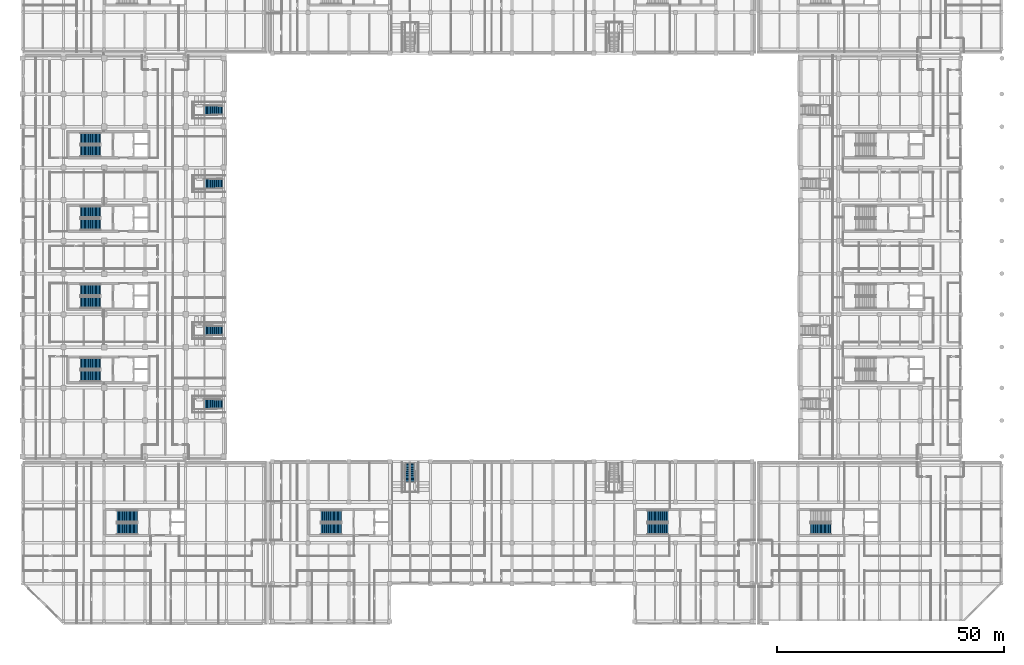
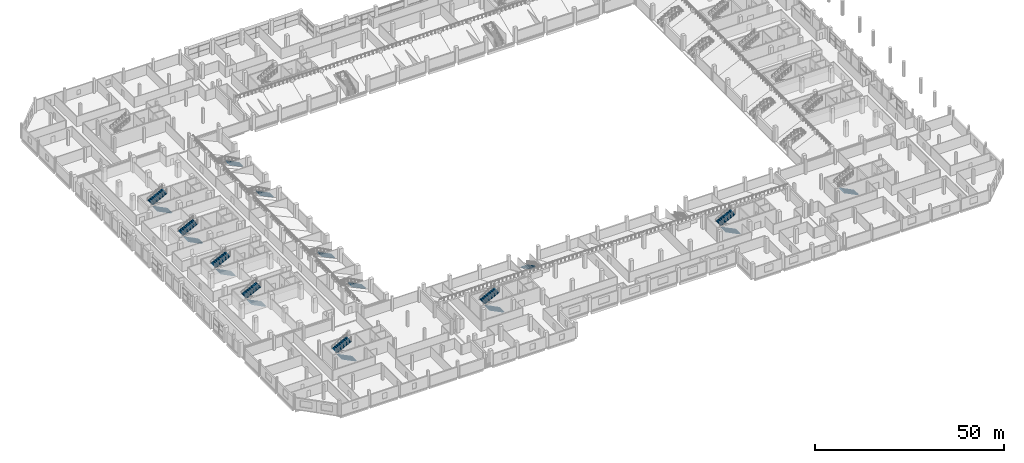
# One storey, part 72 of 100: 20 stair flights, 13 elements without a shape of their own.
"""IFC4 building model written with IfcOpenShell, lengths in metres."""

from ifc_helpers import new_model, si_unit, direction, frame, origin, place, context, subcontext, project, spatial, polyline, outline, extrude, material, type_object, element, aggregate, save


model = new_model("IFC4")

# Units and contexts
model_context = context("Model", 3, precision=1e-05, world=origin(), true_north=direction((0.0, 1.0)))
body_context = subcontext(model_context, "Body", "Model", "MODEL_VIEW")
ifc_project = project(units=[si_unit("LENGTHUNIT", "METRE"), si_unit("AREAUNIT", "SQUARE_METRE"), si_unit("VOLUMEUNIT", "CUBIC_METRE"), si_unit("PLANEANGLEUNIT", "RADIAN"), si_unit("MASSUNIT", "GRAM", prefix="KILO"), si_unit("THERMODYNAMICTEMPERATUREUNIT", "KELVIN"), si_unit("POWERUNIT", "WATT")], contexts=[model_context])

# Site, building, storey
site_placement = place(None, origin())
site = spatial("IfcSite", under=ifc_project, at=site_placement, CompositionType="ELEMENT")
building_placement = place(site_placement, origin())
building = spatial("IfcBuilding", under=site, at=building_placement, Name="Sindhuravela Promenade Stadium", CompositionType="ELEMENT")
storey_placement = place(building_placement, frame((0.0, 0.0, 4.800048828125)))
storey = spatial("IfcBuildingStorey", under=building, at=storey_placement, Name="L01", CompositionType="ELEMENT", Elevation=4.800048828125)

# Stair, stair flights
ifc_material = material(Name="Concrete M40", Category="concrete")
stair_type_1 = type_object("IfcStairType", Name="ST-CORE-DOGLEG", PredefinedType="HALF_TURN_STAIR", material=ifc_material)
stair_1_placement = place(storey_placement, origin())
stair_1 = element("IfcStair", 1, at=stair_1_placement, inside=storey, type_object=stair_type_1, Name="Protected escape stair ST01 (L01)", PredefinedType="HALF_TURN_STAIR")
stair_flight_type_1 = type_object("IfcStairFlightType", Name="SF-CORE-2400", PredefinedType="STRAIGHT", material=ifc_material)
stair_flight_1_placement = place(storey_placement, frame((17.25, 54.7900390625, 0.0), z_axis=(0.0, 0.0, 1.0), x_axis=(-1.0, 0.0, 0.0)))
stair_flight_1 = element("IfcStairFlight", 2, at=stair_flight_1_placement, type_object=stair_flight_type_1, Name="Stair ST01 lower flight (L01)", NumberOfRisers=16, NumberOfTreads=15, PredefinedType="STRAIGHT", RiserHeight=0.15, TreadLength=0.3, context=body_context, shape_type="SweptSolid", body=[
    extrude(outline(polyline([(0.0, 0.0), (0.0, 0.14990234375), (0.300048828125, 0.14990234375), (0.300048828125, 0.300048828125), (0.60009765625, 0.300048828125), (0.60009765625, 0.449951171875), (0.89990234375, 0.449951171875), (0.89990234375, 0.60009765625), (1.199951171875, 0.60009765625), (1.199951171875, 0.75), (1.5, 0.75), (1.5, 0.89990234375), (1.800048828125, 0.89990234375), (1.800048828125, 1.050048828125), (2.10009765625, 1.050048828125), (2.10009765625, 1.199951171875), (2.39990234375, 1.199951171875), (2.39990234375, 1.35009765625), (2.699951171875, 1.35009765625), (2.699951171875, 1.5), (3.0, 1.5), (3.0, 1.64990234375), (3.300048828125, 1.64990234375), (3.300048828125, 1.800048828125), (3.60009765625, 1.800048828125), (3.60009765625, 1.949951171875), (3.89990234375, 1.949951171875), (3.89990234375, 2.10009765625), (4.199951171875, 2.10009765625), (4.199951171875, 2.25), (4.5, 2.25), (4.5, 2.39990234375), (4.5, 2.0263671875), (0.447021484375, 0.0), (0.0, 0.0)])), frame((0.0, 1.25, 0.0), z_axis=(0.0, -1.0, 0.0), x_axis=(1.0, 0.0, 0.0)), (0.0, 0.0, 1.0), 2.5),
])
stair_flight_2_placement = place(storey_placement, frame((12.75, 57.610107421875, 2.39990234375), z_axis=(0.0, 0.0, 1.0), x_axis=(1.0, 0.0, 0.0)))
stair_flight_2 = element("IfcStairFlight", 3, at=stair_flight_2_placement, type_object=stair_flight_type_1, Name="Stair ST01 upper flight (L01)", NumberOfRisers=16, NumberOfTreads=15, PredefinedType="STRAIGHT", RiserHeight=0.15, TreadLength=0.3, context=body_context, shape_type="SweptSolid", body=[
    extrude(outline(polyline([(0.0, 0.0), (0.0, 0.14990234375), (0.300048828125, 0.14990234375), (0.300048828125, 0.300048828125), (0.60009765625, 0.300048828125), (0.60009765625, 0.449951171875), (0.89990234375, 0.449951171875), (0.89990234375, 0.60009765625), (1.199951171875, 0.60009765625), (1.199951171875, 0.75), (1.5, 0.75), (1.5, 0.89990234375), (1.800048828125, 0.89990234375), (1.800048828125, 1.050048828125), (2.10009765625, 1.050048828125), (2.10009765625, 1.199951171875), (2.39990234375, 1.199951171875), (2.39990234375, 1.35009765625), (2.699951171875, 1.35009765625), (2.699951171875, 1.5), (3.0, 1.5), (3.0, 1.64990234375), (3.300048828125, 1.64990234375), (3.300048828125, 1.800048828125), (3.60009765625, 1.800048828125), (3.60009765625, 1.949951171875), (3.89990234375, 1.949951171875), (3.89990234375, 2.10009765625), (4.199951171875, 2.10009765625), (4.199951171875, 2.25), (4.5, 2.25), (4.5, 2.39990234375), (4.5, 2.0263671875), (0.447021484375, 0.0), (0.0, 0.0)])), frame((0.0, 1.25, 0.0), z_axis=(0.0, -1.0, 0.0), x_axis=(1.0, 0.0, 0.0)), (0.0, 0.0, 1.0), 2.5),
])
aggregate(stair_1, [stair_flight_1, stair_flight_2])

stair_2_placement = place(storey_placement, origin())
stair_2 = element("IfcStair", 4, at=stair_2_placement, inside=storey, type_object=stair_type_1, Name="Protected escape stair ST02 (L01)", PredefinedType="HALF_TURN_STAIR")
stair_flight_3_placement = place(storey_placement, frame((17.25, 70.989990234375, 0.0), z_axis=(0.0, 0.0, 1.0), x_axis=(-1.0, 0.0, 0.0)))
stair_flight_3 = element("IfcStairFlight", 5, at=stair_flight_3_placement, type_object=stair_flight_type_1, Name="Stair ST02 lower flight (L01)", NumberOfRisers=16, NumberOfTreads=15, PredefinedType="STRAIGHT", RiserHeight=0.15, TreadLength=0.3, context=body_context, shape_type="SweptSolid", body=[
    extrude(outline(polyline([(0.0, 0.0), (0.0, 0.14990234375), (0.300048828125, 0.14990234375), (0.300048828125, 0.300048828125), (0.60009765625, 0.300048828125), (0.60009765625, 0.449951171875), (0.89990234375, 0.449951171875), (0.89990234375, 0.60009765625), (1.199951171875, 0.60009765625), (1.199951171875, 0.75), (1.5, 0.75), (1.5, 0.89990234375), (1.800048828125, 0.89990234375), (1.800048828125, 1.050048828125), (2.10009765625, 1.050048828125), (2.10009765625, 1.199951171875), (2.39990234375, 1.199951171875), (2.39990234375, 1.35009765625), (2.699951171875, 1.35009765625), (2.699951171875, 1.5), (3.0, 1.5), (3.0, 1.64990234375), (3.300048828125, 1.64990234375), (3.300048828125, 1.800048828125), (3.60009765625, 1.800048828125), (3.60009765625, 1.949951171875), (3.89990234375, 1.949951171875), (3.89990234375, 2.10009765625), (4.199951171875, 2.10009765625), (4.199951171875, 2.25), (4.5, 2.25), (4.5, 2.39990234375), (4.5, 2.0263671875), (0.447021484375, 0.0), (0.0, 0.0)])), frame((0.0, 1.25, 0.0), z_axis=(0.0, -1.0, 0.0), x_axis=(1.0, 0.0, 0.0)), (0.0, 0.0, 1.0), 2.5),
])
stair_flight_4_placement = place(storey_placement, frame((12.75, 73.81005859375, 2.39990234375), z_axis=(0.0, 0.0, 1.0), x_axis=(1.0, 0.0, 0.0)))
stair_flight_4 = element("IfcStairFlight", 6, at=stair_flight_4_placement, type_object=stair_flight_type_1, Name="Stair ST02 upper flight (L01)", NumberOfRisers=16, NumberOfTreads=15, PredefinedType="STRAIGHT", RiserHeight=0.15, TreadLength=0.3, context=body_context, shape_type="SweptSolid", body=[
    extrude(outline(polyline([(0.0, 0.0), (0.0, 0.14990234375), (0.300048828125, 0.14990234375), (0.300048828125, 0.300048828125), (0.60009765625, 0.300048828125), (0.60009765625, 0.449951171875), (0.89990234375, 0.449951171875), (0.89990234375, 0.60009765625), (1.199951171875, 0.60009765625), (1.199951171875, 0.75), (1.5, 0.75), (1.5, 0.89990234375), (1.800048828125, 0.89990234375), (1.800048828125, 1.050048828125), (2.10009765625, 1.050048828125), (2.10009765625, 1.199951171875), (2.39990234375, 1.199951171875), (2.39990234375, 1.35009765625), (2.699951171875, 1.35009765625), (2.699951171875, 1.5), (3.0, 1.5), (3.0, 1.64990234375), (3.300048828125, 1.64990234375), (3.300048828125, 1.800048828125), (3.60009765625, 1.800048828125), (3.60009765625, 1.949951171875), (3.89990234375, 1.949951171875), (3.89990234375, 2.10009765625), (4.199951171875, 2.10009765625), (4.199951171875, 2.25), (4.5, 2.25), (4.5, 2.39990234375), (4.5, 2.0263671875), (0.447021484375, 0.0), (0.0, 0.0)])), frame((0.0, 1.25, 0.0), z_axis=(0.0, -1.0, 0.0), x_axis=(1.0, 0.0, 0.0)), (0.0, 0.0, 1.0), 2.5),
])
aggregate(stair_2, [stair_flight_3, stair_flight_4])

stair_3_placement = place(storey_placement, origin())
stair_3 = element("IfcStair", 7, at=stair_3_placement, inside=storey, type_object=stair_type_1, Name="Protected escape stair ST03 (L01)", PredefinedType="HALF_TURN_STAIR")
stair_flight_5_placement = place(storey_placement, frame((17.25, 88.18994140625, 0.0), z_axis=(0.0, 0.0, 1.0), x_axis=(-1.0, 0.0, 0.0)))
stair_flight_5 = element("IfcStairFlight", 8, at=stair_flight_5_placement, type_object=stair_flight_type_1, Name="Stair ST03 lower flight (L01)", NumberOfRisers=16, NumberOfTreads=15, PredefinedType="STRAIGHT", RiserHeight=0.15, TreadLength=0.3, context=body_context, shape_type="SweptSolid", body=[
    extrude(outline(polyline([(0.0, 0.0), (0.0, 0.14990234375), (0.300048828125, 0.14990234375), (0.300048828125, 0.300048828125), (0.60009765625, 0.300048828125), (0.60009765625, 0.449951171875), (0.89990234375, 0.449951171875), (0.89990234375, 0.60009765625), (1.199951171875, 0.60009765625), (1.199951171875, 0.75), (1.5, 0.75), (1.5, 0.89990234375), (1.800048828125, 0.89990234375), (1.800048828125, 1.050048828125), (2.10009765625, 1.050048828125), (2.10009765625, 1.199951171875), (2.39990234375, 1.199951171875), (2.39990234375, 1.35009765625), (2.699951171875, 1.35009765625), (2.699951171875, 1.5), (3.0, 1.5), (3.0, 1.64990234375), (3.300048828125, 1.64990234375), (3.300048828125, 1.800048828125), (3.60009765625, 1.800048828125), (3.60009765625, 1.949951171875), (3.89990234375, 1.949951171875), (3.89990234375, 2.10009765625), (4.199951171875, 2.10009765625), (4.199951171875, 2.25), (4.5, 2.25), (4.5, 2.39990234375), (4.5, 2.0263671875), (0.447021484375, 0.0), (0.0, 0.0)])), frame((0.0, 1.25, 0.0), z_axis=(0.0, -1.0, 0.0), x_axis=(1.0, 0.0, 0.0)), (0.0, 0.0, 1.0), 2.5),
])
stair_flight_6_placement = place(storey_placement, frame((12.75, 91.010009765625, 2.39990234375), z_axis=(0.0, 0.0, 1.0), x_axis=(1.0, 0.0, 0.0)))
stair_flight_6 = element("IfcStairFlight", 9, at=stair_flight_6_placement, type_object=stair_flight_type_1, Name="Stair ST03 upper flight (L01)", NumberOfRisers=16, NumberOfTreads=15, PredefinedType="STRAIGHT", RiserHeight=0.15, TreadLength=0.3, context=body_context, shape_type="SweptSolid", body=[
    extrude(outline(polyline([(0.0, 0.0), (0.0, 0.14990234375), (0.300048828125, 0.14990234375), (0.300048828125, 0.300048828125), (0.60009765625, 0.300048828125), (0.60009765625, 0.449951171875), (0.89990234375, 0.449951171875), (0.89990234375, 0.60009765625), (1.199951171875, 0.60009765625), (1.199951171875, 0.75), (1.5, 0.75), (1.5, 0.89990234375), (1.800048828125, 0.89990234375), (1.800048828125, 1.050048828125), (2.10009765625, 1.050048828125), (2.10009765625, 1.199951171875), (2.39990234375, 1.199951171875), (2.39990234375, 1.35009765625), (2.699951171875, 1.35009765625), (2.699951171875, 1.5), (3.0, 1.5), (3.0, 1.64990234375), (3.300048828125, 1.64990234375), (3.300048828125, 1.800048828125), (3.60009765625, 1.800048828125), (3.60009765625, 1.949951171875), (3.89990234375, 1.949951171875), (3.89990234375, 2.10009765625), (4.199951171875, 2.10009765625), (4.199951171875, 2.25), (4.5, 2.25), (4.5, 2.39990234375), (4.5, 2.0263671875), (0.447021484375, 0.0), (0.0, 0.0)])), frame((0.0, 1.25, 0.0), z_axis=(0.0, -1.0, 0.0), x_axis=(1.0, 0.0, 0.0)), (0.0, 0.0, 1.0), 2.5),
])
aggregate(stair_3, [stair_flight_5, stair_flight_6])

stair_4_placement = place(storey_placement, origin())
stair_4 = element("IfcStair", 10, at=stair_4_placement, inside=storey, type_object=stair_type_1, Name="Protected escape stair ST04 (L01)", PredefinedType="HALF_TURN_STAIR")
stair_flight_7_placement = place(storey_placement, frame((17.25, 104.389892578125, 0.0), z_axis=(0.0, 0.0, 1.0), x_axis=(-1.0, 0.0, 0.0)))
stair_flight_7 = element("IfcStairFlight", 11, at=stair_flight_7_placement, type_object=stair_flight_type_1, Name="Stair ST04 lower flight (L01)", NumberOfRisers=16, NumberOfTreads=15, PredefinedType="STRAIGHT", RiserHeight=0.15, TreadLength=0.3, context=body_context, shape_type="SweptSolid", body=[
    extrude(outline(polyline([(0.0, 0.0), (0.0, 0.14990234375), (0.300048828125, 0.14990234375), (0.300048828125, 0.300048828125), (0.60009765625, 0.300048828125), (0.60009765625, 0.449951171875), (0.89990234375, 0.449951171875), (0.89990234375, 0.60009765625), (1.199951171875, 0.60009765625), (1.199951171875, 0.75), (1.5, 0.75), (1.5, 0.89990234375), (1.800048828125, 0.89990234375), (1.800048828125, 1.050048828125), (2.10009765625, 1.050048828125), (2.10009765625, 1.199951171875), (2.39990234375, 1.199951171875), (2.39990234375, 1.35009765625), (2.699951171875, 1.35009765625), (2.699951171875, 1.5), (3.0, 1.5), (3.0, 1.64990234375), (3.300048828125, 1.64990234375), (3.300048828125, 1.800048828125), (3.60009765625, 1.800048828125), (3.60009765625, 1.949951171875), (3.89990234375, 1.949951171875), (3.89990234375, 2.10009765625), (4.199951171875, 2.10009765625), (4.199951171875, 2.25), (4.5, 2.25), (4.5, 2.39990234375), (4.5, 2.0263671875), (0.447021484375, 0.0), (0.0, 0.0)])), frame((0.0, 1.25, 0.0), z_axis=(0.0, -1.0, 0.0), x_axis=(1.0, 0.0, 0.0)), (0.0, 0.0, 1.0), 2.5),
])
stair_flight_8_placement = place(storey_placement, frame((12.75, 107.2099609375, 2.39990234375), z_axis=(0.0, 0.0, 1.0), x_axis=(1.0, 0.0, 0.0)))
stair_flight_8 = element("IfcStairFlight", 12, at=stair_flight_8_placement, type_object=stair_flight_type_1, Name="Stair ST04 upper flight (L01)", NumberOfRisers=16, NumberOfTreads=15, PredefinedType="STRAIGHT", RiserHeight=0.15, TreadLength=0.3, context=body_context, shape_type="SweptSolid", body=[
    extrude(outline(polyline([(0.0, 0.0), (0.0, 0.14990234375), (0.300048828125, 0.14990234375), (0.300048828125, 0.300048828125), (0.60009765625, 0.300048828125), (0.60009765625, 0.449951171875), (0.89990234375, 0.449951171875), (0.89990234375, 0.60009765625), (1.199951171875, 0.60009765625), (1.199951171875, 0.75), (1.5, 0.75), (1.5, 0.89990234375), (1.800048828125, 0.89990234375), (1.800048828125, 1.050048828125), (2.10009765625, 1.050048828125), (2.10009765625, 1.199951171875), (2.39990234375, 1.199951171875), (2.39990234375, 1.35009765625), (2.699951171875, 1.35009765625), (2.699951171875, 1.5), (3.0, 1.5), (3.0, 1.64990234375), (3.300048828125, 1.64990234375), (3.300048828125, 1.800048828125), (3.60009765625, 1.800048828125), (3.60009765625, 1.949951171875), (3.89990234375, 1.949951171875), (3.89990234375, 2.10009765625), (4.199951171875, 2.10009765625), (4.199951171875, 2.25), (4.5, 2.25), (4.5, 2.39990234375), (4.5, 2.0263671875), (0.447021484375, 0.0), (0.0, 0.0)])), frame((0.0, 1.25, 0.0), z_axis=(0.0, -1.0, 0.0), x_axis=(1.0, 0.0, 0.0)), (0.0, 0.0, 1.0), 2.5),
])
aggregate(stair_4, [stair_flight_7, stair_flight_8])

stair_5_placement = place(storey_placement, origin())
stair_5 = element("IfcStair", 13, at=stair_5_placement, inside=storey, type_object=stair_type_1, Name="Protected escape stair ST11 (L01)", PredefinedType="HALF_TURN_STAIR")
stair_flight_9_placement = place(storey_placement, frame((70.35009765625, 21.090087890625, 0.0), z_axis=(0.0, 0.0, 1.0), x_axis=(-1.0, 0.0, 0.0)))
stair_flight_9 = element("IfcStairFlight", 14, at=stair_flight_9_placement, type_object=stair_flight_type_1, Name="Stair ST11 lower flight (L01)", NumberOfRisers=16, NumberOfTreads=15, PredefinedType="STRAIGHT", RiserHeight=0.15, TreadLength=0.3, context=body_context, shape_type="SweptSolid", body=[
    extrude(outline(polyline([(0.0, 0.0), (0.0, 0.14990234375), (0.300048828125, 0.14990234375), (0.300048828125, 0.300048828125), (0.60009765625, 0.300048828125), (0.60009765625, 0.449951171875), (0.89990234375, 0.449951171875), (0.89990234375, 0.60009765625), (1.199951171875, 0.60009765625), (1.199951171875, 0.75), (1.5, 0.75), (1.5, 0.89990234375), (1.800048828125, 0.89990234375), (1.800048828125, 1.050048828125), (2.10009765625, 1.050048828125), (2.10009765625, 1.199951171875), (2.39990234375, 1.199951171875), (2.39990234375, 1.35009765625), (2.699951171875, 1.35009765625), (2.699951171875, 1.5), (3.0, 1.5), (3.0, 1.64990234375), (3.300048828125, 1.64990234375), (3.300048828125, 1.800048828125), (3.60009765625, 1.800048828125), (3.60009765625, 1.949951171875), (3.89990234375, 1.949951171875), (3.89990234375, 2.10009765625), (4.199951171875, 2.10009765625), (4.199951171875, 2.25), (4.5, 2.25), (4.5, 2.39990234375), (4.5, 2.0263671875), (0.447021484375, 0.0), (0.0, 0.0)])), frame((0.0, 1.25, 0.0), z_axis=(0.0, -1.0, 0.0), x_axis=(1.0, 0.0, 0.0)), (0.0, 0.0, 1.0), 2.5),
])
stair_flight_10_placement = place(storey_placement, frame((65.85009765625, 23.909912109375, 2.39990234375), z_axis=(0.0, 0.0, 1.0), x_axis=(1.0, 0.0, 0.0)))
stair_flight_10 = element("IfcStairFlight", 15, at=stair_flight_10_placement, type_object=stair_flight_type_1, Name="Stair ST11 upper flight (L01)", NumberOfRisers=16, NumberOfTreads=15, PredefinedType="STRAIGHT", RiserHeight=0.15, TreadLength=0.3, context=body_context, shape_type="SweptSolid", body=[
    extrude(outline(polyline([(0.0, 0.0), (0.0, 0.14990234375), (0.300048828125, 0.14990234375), (0.300048828125, 0.300048828125), (0.60009765625, 0.300048828125), (0.60009765625, 0.449951171875), (0.89990234375, 0.449951171875), (0.89990234375, 0.60009765625), (1.199951171875, 0.60009765625), (1.199951171875, 0.75), (1.5, 0.75), (1.5, 0.89990234375), (1.800048828125, 0.89990234375), (1.800048828125, 1.050048828125), (2.10009765625, 1.050048828125), (2.10009765625, 1.199951171875), (2.39990234375, 1.199951171875), (2.39990234375, 1.35009765625), (2.699951171875, 1.35009765625), (2.699951171875, 1.5), (3.0, 1.5), (3.0, 1.64990234375), (3.300048828125, 1.64990234375), (3.300048828125, 1.800048828125), (3.60009765625, 1.800048828125), (3.60009765625, 1.949951171875), (3.89990234375, 1.949951171875), (3.89990234375, 2.10009765625), (4.199951171875, 2.10009765625), (4.199951171875, 2.25), (4.5, 2.25), (4.5, 2.39990234375), (4.5, 2.0263671875), (0.447021484375, 0.0), (0.0, 0.0)])), frame((0.0, 1.25, 0.0), z_axis=(0.0, -1.0, 0.0), x_axis=(1.0, 0.0, 0.0)), (0.0, 0.0, 1.0), 2.5),
])
aggregate(stair_5, [stair_flight_9, stair_flight_10])

stair_6_placement = place(storey_placement, origin())
stair_6 = element("IfcStair", 16, at=stair_6_placement, inside=storey, type_object=stair_type_1, Name="Protected escape stair ST12 (L01)", PredefinedType="HALF_TURN_STAIR")
stair_flight_11_placement = place(storey_placement, frame((142.35009765625, 21.090087890625, 0.0), z_axis=(0.0, 0.0, 1.0), x_axis=(-1.0, 0.0, 0.0)))
stair_flight_11 = element("IfcStairFlight", 17, at=stair_flight_11_placement, type_object=stair_flight_type_1, Name="Stair ST12 lower flight (L01)", NumberOfRisers=16, NumberOfTreads=15, PredefinedType="STRAIGHT", RiserHeight=0.15, TreadLength=0.3, context=body_context, shape_type="SweptSolid", body=[
    extrude(outline(polyline([(0.0, 0.0), (0.0, 0.14990234375), (0.300048828125, 0.14990234375), (0.300048828125, 0.300048828125), (0.60009765625, 0.300048828125), (0.60009765625, 0.449951171875), (0.89990234375, 0.449951171875), (0.89990234375, 0.60009765625), (1.199951171875, 0.60009765625), (1.199951171875, 0.75), (1.5, 0.75), (1.5, 0.89990234375), (1.800048828125, 0.89990234375), (1.800048828125, 1.050048828125), (2.10009765625, 1.050048828125), (2.10009765625, 1.199951171875), (2.39990234375, 1.199951171875), (2.39990234375, 1.35009765625), (2.699951171875, 1.35009765625), (2.699951171875, 1.5), (3.0, 1.5), (3.0, 1.64990234375), (3.300048828125, 1.64990234375), (3.300048828125, 1.800048828125), (3.60009765625, 1.800048828125), (3.60009765625, 1.949951171875), (3.89990234375, 1.949951171875), (3.89990234375, 2.10009765625), (4.199951171875, 2.10009765625), (4.199951171875, 2.25), (4.5, 2.25), (4.5, 2.39990234375), (4.5, 2.0263671875), (0.447021484375, 0.0), (0.0, 0.0)])), frame((0.0, 1.25, 0.0), z_axis=(0.0, -1.0, 0.0), x_axis=(1.0, 0.0, 0.0)), (0.0, 0.0, 1.0), 2.5),
])
stair_flight_12_placement = place(storey_placement, frame((137.85009765625, 23.909912109375, 2.39990234375), z_axis=(0.0, 0.0, 1.0), x_axis=(1.0, 0.0, 0.0)))
stair_flight_12 = element("IfcStairFlight", 18, at=stair_flight_12_placement, type_object=stair_flight_type_1, Name="Stair ST12 upper flight (L01)", NumberOfRisers=16, NumberOfTreads=15, PredefinedType="STRAIGHT", RiserHeight=0.15, TreadLength=0.3, context=body_context, shape_type="SweptSolid", body=[
    extrude(outline(polyline([(0.0, 0.0), (0.0, 0.14990234375), (0.300048828125, 0.14990234375), (0.300048828125, 0.300048828125), (0.60009765625, 0.300048828125), (0.60009765625, 0.449951171875), (0.89990234375, 0.449951171875), (0.89990234375, 0.60009765625), (1.199951171875, 0.60009765625), (1.199951171875, 0.75), (1.5, 0.75), (1.5, 0.89990234375), (1.800048828125, 0.89990234375), (1.800048828125, 1.050048828125), (2.10009765625, 1.050048828125), (2.10009765625, 1.199951171875), (2.39990234375, 1.199951171875), (2.39990234375, 1.35009765625), (2.699951171875, 1.35009765625), (2.699951171875, 1.5), (3.0, 1.5), (3.0, 1.64990234375), (3.300048828125, 1.64990234375), (3.300048828125, 1.800048828125), (3.60009765625, 1.800048828125), (3.60009765625, 1.949951171875), (3.89990234375, 1.949951171875), (3.89990234375, 2.10009765625), (4.199951171875, 2.10009765625), (4.199951171875, 2.25), (4.5, 2.25), (4.5, 2.39990234375), (4.5, 2.0263671875), (0.447021484375, 0.0), (0.0, 0.0)])), frame((0.0, 1.25, 0.0), z_axis=(0.0, -1.0, 0.0), x_axis=(1.0, 0.0, 0.0)), (0.0, 0.0, 1.0), 2.5),
])
aggregate(stair_6, [stair_flight_11, stair_flight_12])

stair_7_placement = place(storey_placement, origin())
stair_7 = element("IfcStair", 19, at=stair_7_placement, inside=storey, type_object=stair_type_1, Name="Protected escape stair GS01 (L01)", PredefinedType="HALF_TURN_STAIR")
stair_flight_13_placement = place(storey_placement, frame((25.35009765625, 21.090087890625, 0.0), z_axis=(0.0, 0.0, 1.0), x_axis=(-1.0, 0.0, 0.0)))
stair_flight_13 = element("IfcStairFlight", 20, at=stair_flight_13_placement, type_object=stair_flight_type_1, Name="Stair GS01 lower flight (L01)", NumberOfRisers=16, NumberOfTreads=15, PredefinedType="STRAIGHT", RiserHeight=0.15, TreadLength=0.3, context=body_context, shape_type="SweptSolid", body=[
    extrude(outline(polyline([(0.0, 0.0), (0.0, 0.14990234375), (0.300048828125, 0.14990234375), (0.300048828125, 0.300048828125), (0.60009765625, 0.300048828125), (0.60009765625, 0.449951171875), (0.89990234375, 0.449951171875), (0.89990234375, 0.60009765625), (1.199951171875, 0.60009765625), (1.199951171875, 0.75), (1.5, 0.75), (1.5, 0.89990234375), (1.800048828125, 0.89990234375), (1.800048828125, 1.050048828125), (2.10009765625, 1.050048828125), (2.10009765625, 1.199951171875), (2.39990234375, 1.199951171875), (2.39990234375, 1.35009765625), (2.699951171875, 1.35009765625), (2.699951171875, 1.5), (3.0, 1.5), (3.0, 1.64990234375), (3.300048828125, 1.64990234375), (3.300048828125, 1.800048828125), (3.60009765625, 1.800048828125), (3.60009765625, 1.949951171875), (3.89990234375, 1.949951171875), (3.89990234375, 2.10009765625), (4.199951171875, 2.10009765625), (4.199951171875, 2.25), (4.5, 2.25), (4.5, 2.39990234375), (4.5, 2.0263671875), (0.447021484375, 0.0), (0.0, 0.0)])), frame((0.0, 1.25, 0.0), z_axis=(0.0, -1.0, 0.0), x_axis=(1.0, 0.0, 0.0)), (0.0, 0.0, 1.0), 2.5),
])
stair_flight_14_placement = place(storey_placement, frame((20.85009765625, 23.909912109375, 2.39990234375), z_axis=(0.0, 0.0, 1.0), x_axis=(1.0, 0.0, 0.0)))
stair_flight_14 = element("IfcStairFlight", 21, at=stair_flight_14_placement, type_object=stair_flight_type_1, Name="Stair GS01 upper flight (L01)", NumberOfRisers=16, NumberOfTreads=15, PredefinedType="STRAIGHT", RiserHeight=0.15, TreadLength=0.3, context=body_context, shape_type="SweptSolid", body=[
    extrude(outline(polyline([(0.0, 0.0), (0.0, 0.14990234375), (0.300048828125, 0.14990234375), (0.300048828125, 0.300048828125), (0.60009765625, 0.300048828125), (0.60009765625, 0.449951171875), (0.89990234375, 0.449951171875), (0.89990234375, 0.60009765625), (1.199951171875, 0.60009765625), (1.199951171875, 0.75), (1.5, 0.75), (1.5, 0.89990234375), (1.800048828125, 0.89990234375), (1.800048828125, 1.050048828125), (2.10009765625, 1.050048828125), (2.10009765625, 1.199951171875), (2.39990234375, 1.199951171875), (2.39990234375, 1.35009765625), (2.699951171875, 1.35009765625), (2.699951171875, 1.5), (3.0, 1.5), (3.0, 1.64990234375), (3.300048828125, 1.64990234375), (3.300048828125, 1.800048828125), (3.60009765625, 1.800048828125), (3.60009765625, 1.949951171875), (3.89990234375, 1.949951171875), (3.89990234375, 2.10009765625), (4.199951171875, 2.10009765625), (4.199951171875, 2.25), (4.5, 2.25), (4.5, 2.39990234375), (4.5, 2.0263671875), (0.447021484375, 0.0), (0.0, 0.0)])), frame((0.0, 1.25, 0.0), z_axis=(0.0, -1.0, 0.0), x_axis=(1.0, 0.0, 0.0)), (0.0, 0.0, 1.0), 2.5),
])
aggregate(stair_7, [stair_flight_13, stair_flight_14])

# Stair, stair flight
stair_8_placement = place(storey_placement, origin())
stair_8 = element("IfcStair", 22, at=stair_8_placement, inside=storey, type_object=stair_type_1, Name="Protected escape stair GS02 (L01)", PredefinedType="HALF_TURN_STAIR")
stair_flight_15_placement = place(storey_placement, frame((178.35009765625, 21.090087890625, 0.0), z_axis=(0.0, 0.0, 1.0), x_axis=(-1.0, 0.0, 0.0)))
stair_flight_15 = element("IfcStairFlight", 23, at=stair_flight_15_placement, type_object=stair_flight_type_1, Name="Stair GS02 lower flight (L01)", NumberOfRisers=16, NumberOfTreads=15, PredefinedType="STRAIGHT", RiserHeight=0.15, TreadLength=0.3, context=body_context, shape_type="SweptSolid", body=[
    extrude(outline(polyline([(0.0, 0.0), (0.0, 0.14990234375), (0.300048828125, 0.14990234375), (0.300048828125, 0.300048828125), (0.60009765625, 0.300048828125), (0.60009765625, 0.449951171875), (0.89990234375, 0.449951171875), (0.89990234375, 0.60009765625), (1.199951171875, 0.60009765625), (1.199951171875, 0.75), (1.5, 0.75), (1.5, 0.89990234375), (1.800048828125, 0.89990234375), (1.800048828125, 1.050048828125), (2.10009765625, 1.050048828125), (2.10009765625, 1.199951171875), (2.39990234375, 1.199951171875), (2.39990234375, 1.35009765625), (2.699951171875, 1.35009765625), (2.699951171875, 1.5), (3.0, 1.5), (3.0, 1.64990234375), (3.300048828125, 1.64990234375), (3.300048828125, 1.800048828125), (3.60009765625, 1.800048828125), (3.60009765625, 1.949951171875), (3.89990234375, 1.949951171875), (3.89990234375, 2.10009765625), (4.199951171875, 2.10009765625), (4.199951171875, 2.25), (4.5, 2.25), (4.5, 2.39990234375), (4.5, 2.0263671875), (0.447021484375, 0.0), (0.0, 0.0)])), frame((0.0, 1.25, 0.0), z_axis=(0.0, -1.0, 0.0), x_axis=(1.0, 0.0, 0.0)), (0.0, 0.0, 1.0), 2.5),
])
aggregate(stair_8, [stair_flight_15])

stair_type_2 = type_object("IfcStairType", Name="ST-VOM-1", PredefinedType="STRAIGHT_RUN_STAIR", material=ifc_material)
stair_9_placement = place(storey_placement, origin())
stair_9 = element("IfcStair", 24, at=stair_9_placement, inside=storey, type_object=stair_type_2, Name="Bowl vomitory stair VS01 (L01)", PredefinedType="STRAIGHT_RUN_STAIR")
stair_flight_type_2 = type_object("IfcStairFlightType", Name="SF-VOM-1", PredefinedType="STRAIGHT", material=ifc_material)
stair_flight_16_placement = place(storey_placement, frame((44.14990234375, 48.60009765625, 0.0), z_axis=(0.0, 0.0, 1.0), x_axis=(-1.0, 0.0, 0.0)))
stair_flight_16 = element("IfcStairFlight", 25, at=stair_flight_16_placement, type_object=stair_flight_type_2, Name="Vomitory VS01 flight", NumberOfRisers=15, NumberOfTreads=14, PredefinedType="STRAIGHT", RiserHeight=0.15, TreadLength=0.3, context=body_context, shape_type="SweptSolid", body=[
    extrude(outline(polyline([(0.0, 0.0), (0.0, 0.14990234375), (0.300048828125, 0.14990234375), (0.300048828125, 0.300048828125), (0.60009765625, 0.300048828125), (0.60009765625, 0.449951171875), (0.89990234375, 0.449951171875), (0.89990234375, 0.60009765625), (1.199951171875, 0.60009765625), (1.199951171875, 0.75), (1.5, 0.75), (1.5, 0.89990234375), (1.800048828125, 0.89990234375), (1.800048828125, 1.050048828125), (2.10009765625, 1.050048828125), (2.10009765625, 1.199951171875), (2.39990234375, 1.199951171875), (2.39990234375, 1.35009765625), (2.699951171875, 1.35009765625), (2.699951171875, 1.5), (3.0, 1.5), (3.0, 1.64990234375), (3.300048828125, 1.64990234375), (3.300048828125, 1.800048828125), (3.60009765625, 1.800048828125), (3.60009765625, 1.949951171875), (3.89990234375, 1.949951171875), (3.89990234375, 2.10009765625), (4.199951171875, 2.10009765625), (4.199951171875, 2.25), (4.199951171875, 1.85400390625), (0.491943359375, 0.0), (0.0, 0.0)])), frame((0.0, 1.06005859375, 0.0), z_axis=(0.0, -1.0, 0.0), x_axis=(1.0, 0.0, 0.0)), (0.0, 0.0, 1.0), 2.1201171875),
])
aggregate(stair_9, [stair_flight_16])

stair_10_placement = place(storey_placement, origin())
stair_10 = element("IfcStair", 26, at=stair_10_placement, inside=storey, type_object=stair_type_2, Name="Bowl vomitory stair VS03 (L01)", PredefinedType="STRAIGHT_RUN_STAIR")
stair_flight_17_placement = place(storey_placement, frame((44.14990234375, 97.199951171875, 0.0), z_axis=(0.0, 0.0, 1.0), x_axis=(-1.0, 0.0, 0.0)))
stair_flight_17 = element("IfcStairFlight", 27, at=stair_flight_17_placement, type_object=stair_flight_type_2, Name="Vomitory VS03 flight", NumberOfRisers=15, NumberOfTreads=14, PredefinedType="STRAIGHT", RiserHeight=0.15, TreadLength=0.3, context=body_context, shape_type="SweptSolid", body=[
    extrude(outline(polyline([(0.0, 0.0), (0.0, 0.14990234375), (0.300048828125, 0.14990234375), (0.300048828125, 0.300048828125), (0.60009765625, 0.300048828125), (0.60009765625, 0.449951171875), (0.89990234375, 0.449951171875), (0.89990234375, 0.60009765625), (1.199951171875, 0.60009765625), (1.199951171875, 0.75), (1.5, 0.75), (1.5, 0.89990234375), (1.800048828125, 0.89990234375), (1.800048828125, 1.050048828125), (2.10009765625, 1.050048828125), (2.10009765625, 1.199951171875), (2.39990234375, 1.199951171875), (2.39990234375, 1.35009765625), (2.699951171875, 1.35009765625), (2.699951171875, 1.5), (3.0, 1.5), (3.0, 1.64990234375), (3.300048828125, 1.64990234375), (3.300048828125, 1.800048828125), (3.60009765625, 1.800048828125), (3.60009765625, 1.949951171875), (3.89990234375, 1.949951171875), (3.89990234375, 2.10009765625), (4.199951171875, 2.10009765625), (4.199951171875, 2.25), (4.199951171875, 1.85400390625), (0.491943359375, 0.0), (0.0, 0.0)])), frame((0.0, 1.06005859375, 0.0), z_axis=(0.0, -1.0, 0.0), x_axis=(1.0, 0.0, 0.0)), (0.0, 0.0, 1.0), 2.1201171875),
])
aggregate(stair_10, [stair_flight_17])

stair_11_placement = place(storey_placement, origin())
stair_11 = element("IfcStair", 28, at=stair_11_placement, inside=storey, type_object=stair_type_2, Name="Bowl vomitory stair VS11 (L01)", PredefinedType="STRAIGHT_RUN_STAIR")
stair_flight_18_placement = place(storey_placement, frame((85.5, 35.56005859375, 0.0), z_axis=(0.0, 0.0, 1.0), x_axis=(0.0, -1.0, 0.0)))
stair_flight_18 = element("IfcStairFlight", 29, at=stair_flight_18_placement, type_object=stair_flight_type_2, Name="Vomitory VS11 flight", NumberOfRisers=15, NumberOfTreads=14, PredefinedType="STRAIGHT", RiserHeight=0.15, TreadLength=0.3, context=body_context, shape_type="SweptSolid", body=[
    extrude(outline(polyline([(0.0, 0.0), (0.0, 0.14990234375), (0.300048828125, 0.14990234375), (0.300048828125, 0.300048828125), (0.60009765625, 0.300048828125), (0.60009765625, 0.449951171875), (0.89990234375, 0.449951171875), (0.89990234375, 0.60009765625), (1.199951171875, 0.60009765625), (1.199951171875, 0.75), (1.5, 0.75), (1.5, 0.89990234375), (1.800048828125, 0.89990234375), (1.800048828125, 1.050048828125), (2.10009765625, 1.050048828125), (2.10009765625, 1.199951171875), (2.39990234375, 1.199951171875), (2.39990234375, 1.35009765625), (2.699951171875, 1.35009765625), (2.699951171875, 1.5), (3.0, 1.5), (3.0, 1.64990234375), (3.300048828125, 1.64990234375), (3.300048828125, 1.800048828125), (3.60009765625, 1.800048828125), (3.60009765625, 1.949951171875), (3.89990234375, 1.949951171875), (3.89990234375, 2.10009765625), (4.199951171875, 2.10009765625), (4.199951171875, 2.25), (4.199951171875, 1.85400390625), (0.491943359375, 0.0), (0.0, 0.0)])), frame((0.0, 1.06005859375, 0.0), z_axis=(0.0, -1.0, 0.0), x_axis=(1.0, 0.0, 0.0)), (0.0, 0.0, 1.0), 2.1201171875),
])
aggregate(stair_11, [stair_flight_18])

stair_type_3 = type_object("IfcStairType", Name="ST-VOM-2", PredefinedType="STRAIGHT_RUN_STAIR", material=ifc_material)
stair_12_placement = place(storey_placement, origin())
stair_12 = element("IfcStair", 30, at=stair_12_placement, inside=storey, type_object=stair_type_3, Name="Bowl vomitory stair VS02 (L01)", PredefinedType="STRAIGHT_RUN_STAIR")
stair_flight_type_3 = type_object("IfcStairFlightType", Name="SF-VOM-2", PredefinedType="STRAIGHT", material=ifc_material)
stair_flight_19_placement = place(storey_placement, frame((44.14990234375, 64.800048828125, 0.0), z_axis=(0.0, 0.0, 1.0), x_axis=(-1.0, 0.0, 0.0)))
stair_flight_19 = element("IfcStairFlight", 31, at=stair_flight_19_placement, type_object=stair_flight_type_3, Name="Vomitory VS02 flight", NumberOfRisers=15, NumberOfTreads=14, PredefinedType="STRAIGHT", RiserHeight=0.15, TreadLength=0.3, context=body_context, shape_type="SweptSolid", body=[
    extrude(outline(polyline([(0.0, 0.0), (0.0, 0.14990234375), (0.300048828125, 0.14990234375), (0.300048828125, 0.300048828125), (0.60009765625, 0.300048828125), (0.60009765625, 0.449951171875), (0.89990234375, 0.449951171875), (0.89990234375, 0.60009765625), (1.199951171875, 0.60009765625), (1.199951171875, 0.75), (1.5, 0.75), (1.5, 0.89990234375), (1.800048828125, 0.89990234375), (1.800048828125, 1.050048828125), (2.10009765625, 1.050048828125), (2.10009765625, 1.199951171875), (2.39990234375, 1.199951171875), (2.39990234375, 1.35009765625), (2.699951171875, 1.35009765625), (2.699951171875, 1.5), (3.0, 1.5), (3.0, 1.64990234375), (3.300048828125, 1.64990234375), (3.300048828125, 1.800048828125), (3.60009765625, 1.800048828125), (3.60009765625, 1.949951171875), (3.89990234375, 1.949951171875), (3.89990234375, 2.10009765625), (4.199951171875, 2.10009765625), (4.199951171875, 2.25), (4.199951171875, 1.85400390625), (0.491943359375, 0.0), (0.0, 0.0)])), frame((0.0, 1.02001953125, 0.0), z_axis=(0.0, -1.0, 0.0), x_axis=(1.0, 0.0, 0.0)), (0.0, 0.0, 1.0), 2.0400390625),
])
aggregate(stair_12, [stair_flight_19])

stair_13_placement = place(storey_placement, origin())
stair_13 = element("IfcStair", 32, at=stair_13_placement, inside=storey, type_object=stair_type_3, Name="Bowl vomitory stair VS04 (L01)", PredefinedType="STRAIGHT_RUN_STAIR")
stair_flight_20_placement = place(storey_placement, frame((44.14990234375, 113.39990234375, 0.0), z_axis=(0.0, 0.0, 1.0), x_axis=(-1.0, 0.0, 0.0)))
stair_flight_20 = element("IfcStairFlight", 33, at=stair_flight_20_placement, type_object=stair_flight_type_3, Name="Vomitory VS04 flight", NumberOfRisers=15, NumberOfTreads=14, PredefinedType="STRAIGHT", RiserHeight=0.15, TreadLength=0.3, context=body_context, shape_type="SweptSolid", body=[
    extrude(outline(polyline([(0.0, 0.0), (0.0, 0.14990234375), (0.300048828125, 0.14990234375), (0.300048828125, 0.300048828125), (0.60009765625, 0.300048828125), (0.60009765625, 0.449951171875), (0.89990234375, 0.449951171875), (0.89990234375, 0.60009765625), (1.199951171875, 0.60009765625), (1.199951171875, 0.75), (1.5, 0.75), (1.5, 0.89990234375), (1.800048828125, 0.89990234375), (1.800048828125, 1.050048828125), (2.10009765625, 1.050048828125), (2.10009765625, 1.199951171875), (2.39990234375, 1.199951171875), (2.39990234375, 1.35009765625), (2.699951171875, 1.35009765625), (2.699951171875, 1.5), (3.0, 1.5), (3.0, 1.64990234375), (3.300048828125, 1.64990234375), (3.300048828125, 1.800048828125), (3.60009765625, 1.800048828125), (3.60009765625, 1.949951171875), (3.89990234375, 1.949951171875), (3.89990234375, 2.10009765625), (4.199951171875, 2.10009765625), (4.199951171875, 2.25), (4.199951171875, 1.85400390625), (0.491943359375, 0.0), (0.0, 0.0)])), frame((0.0, 1.02001953125, 0.0), z_axis=(0.0, -1.0, 0.0), x_axis=(1.0, 0.0, 0.0)), (0.0, 0.0, 1.0), 2.0400390625),
])
aggregate(stair_13, [stair_flight_20])

save(model, "model.ifc")
